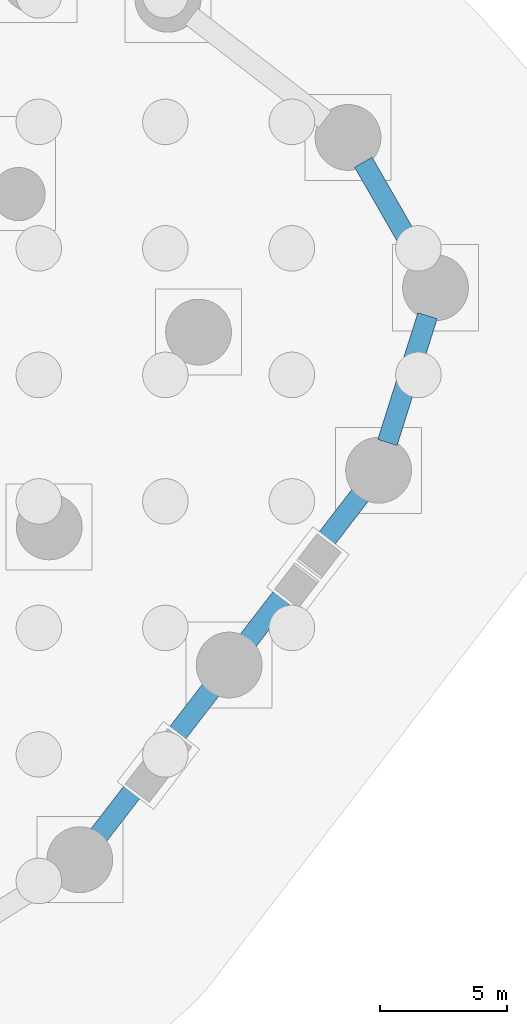
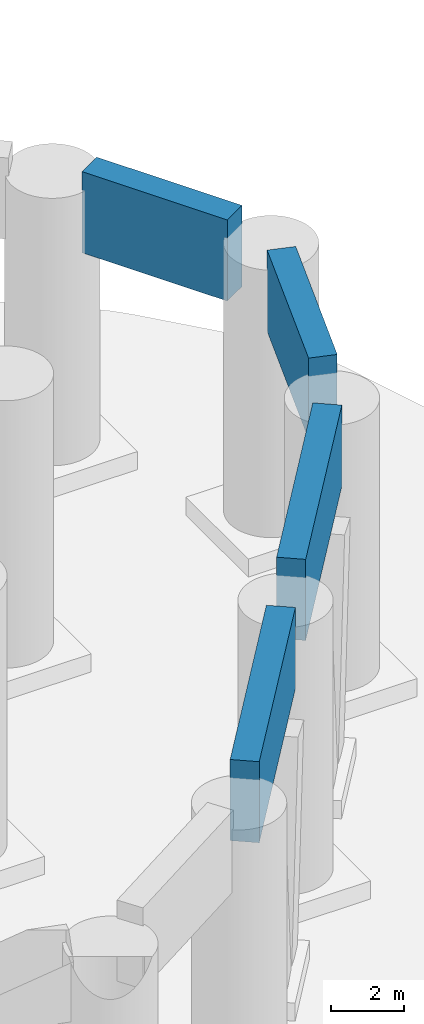
# One storey, part 13 of 31: 4 beams.
"""IFC4 building model written with IfcOpenShell, lengths in metres."""

from ifc_helpers import new_model, si_unit, direction, frame, origin, origin_2d, place, context, subcontext, project, spatial, rectangle, extrude, material, material_profile, profile_set, type_object, element, save


model = new_model("IFC4")

# Units and contexts
model_context = context("Model", 3, precision=1e-05, world=origin(), true_north=direction((0.0, 1.0)))
body_context = subcontext(model_context, "Body", "Model", "MODEL_VIEW")
ifc_project = project(units=[si_unit("LENGTHUNIT", "METRE"), si_unit("AREAUNIT", "SQUARE_METRE"), si_unit("VOLUMEUNIT", "CUBIC_METRE"), si_unit("PLANEANGLEUNIT", "RADIAN"), si_unit("MASSUNIT", "GRAM", prefix="KILO")], contexts=[model_context])

# Site, building, storey
site_placement = place(None, origin())
site = spatial("IfcSite", under=ifc_project, at=site_placement, CompositionType="ELEMENT")
building_placement = place(site_placement, origin())
building = spatial("IfcBuilding", under=site, at=building_placement, Name="Orlundy Tower", CompositionType="ELEMENT")
storey_placement = place(building_placement, origin())
storey = spatial("IfcBuildingStorey", under=building, at=storey_placement, Name="L00", CompositionType="ELEMENT", Elevation=0.0)

# Beams
ifc_material = material(Name="Concrete C80/95", Category="concrete")
ifc_material_profile = material_profile(ifc_material, rectangle(XDim=0.800048828125, YDim=2.699951171875, at=origin_2d()), Name="RC800X2700")
ifc_profile_set = profile_set([ifc_material_profile], Name="Concrete C80/95")
beam_type = type_object("IfcBeamType", Name="RC FASCIA BEAM RC800X2700 C80/95", PredefinedType="BEAM", material=ifc_profile_set)
beam_1_placement = place(storey_placement, frame((52.822998046875, -16.593017578125, 8.75), z_axis=(0.498608498378, -0.866827298454, 0.0), x_axis=(0.866827298454, 0.498608498378, 0.0)))
element("IfcBeam", 1, at=beam_1_placement, inside=storey, type_object=beam_type, Name="Fascia beam 31", PredefinedType="BEAM", context=body_context, shape_type="SweptSolid", body=[
    extrude(rectangle(XDim=0.800048828125, YDim=2.699951171875, at=origin_2d()), origin(), (0.0, 0.0, 1.0), 4.57421875),
])
beam_2_placement = place(storey_placement, frame((55.36181640625, -22.660888671875, 8.75), z_axis=(-0.301953608575, -0.953322620244, 0.0), x_axis=(0.953322620244, -0.301953608575, 0.0)))
element("IfcBeam", 2, at=beam_2_placement, inside=storey, type_object=beam_type, Name="Fascia beam 32", PredefinedType="BEAM", context=body_context, shape_type="SweptSolid", body=[
    extrude(rectangle(XDim=0.800048828125, YDim=2.699951171875, at=origin_2d()), origin(), (0.0, 0.0, 1.0), 5.257080078125),
])
beam_3_placement = place(storey_placement, frame((52.745849609375, -29.695556640625, 8.75), z_axis=(-0.610916899281, -0.791694727893, 0.0), x_axis=(0.791694727893, -0.610916899281, 0.0)))
element("IfcBeam", 3, at=beam_3_placement, inside=storey, type_object=beam_type, Name="Fascia beam 33", PredefinedType="BEAM", context=body_context, shape_type="SweptSolid", body=[
    extrude(rectangle(XDim=0.800048828125, YDim=2.699951171875, at=origin_2d()), origin(), (0.0, 0.0, 1.0), 7.400634765625),
])
beam_4_placement = place(storey_placement, frame((46.8408203125, -37.3916015625, 8.75), z_axis=(-0.61099668301, -0.791633155793, 0.0), x_axis=(0.791633155793, -0.61099668301, 0.0)))
element("IfcBeam", 4, at=beam_4_placement, inside=storey, type_object=beam_type, Name="Fascia beam 34", PredefinedType="BEAM", context=body_context, shape_type="SweptSolid", body=[
    extrude(rectangle(XDim=0.800048828125, YDim=2.699951171875, at=origin_2d()), origin(), (0.0, 0.0, 1.0), 7.399658203125),
])

save(model, "model.ifc")
